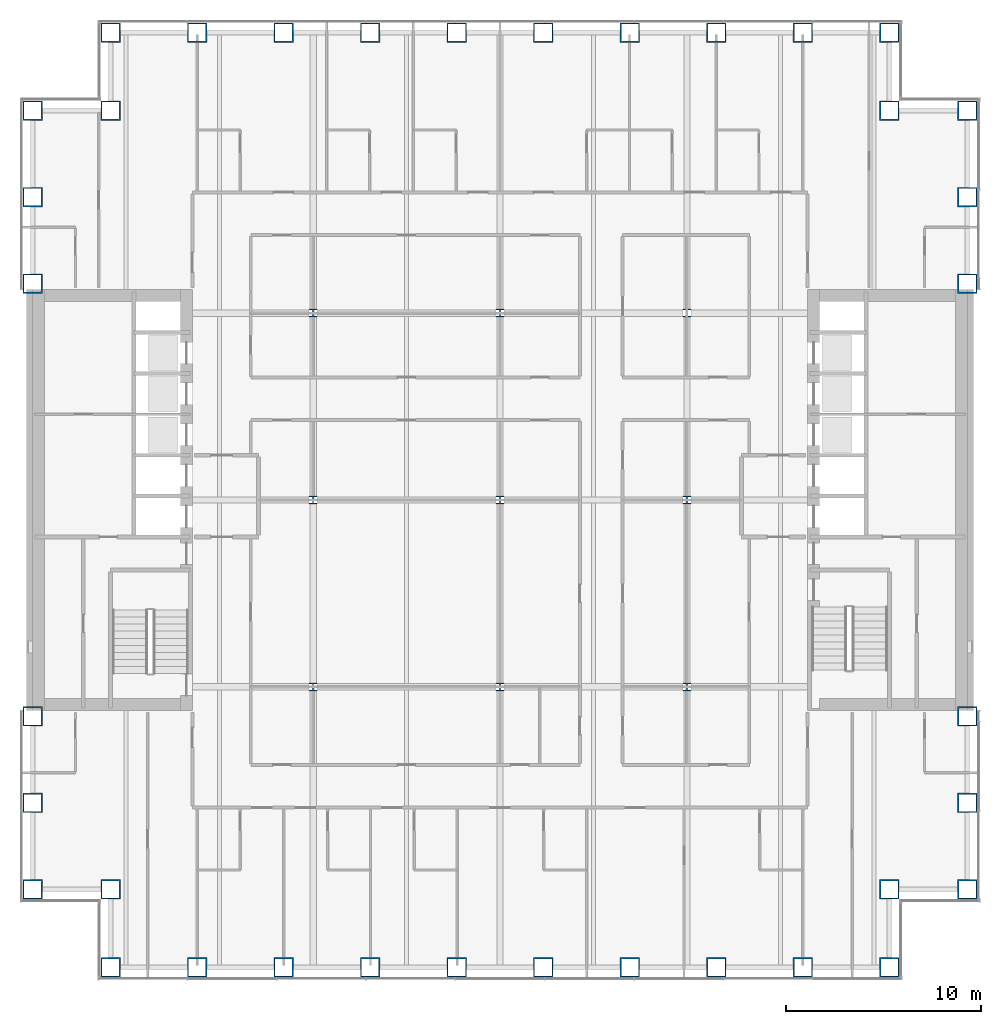
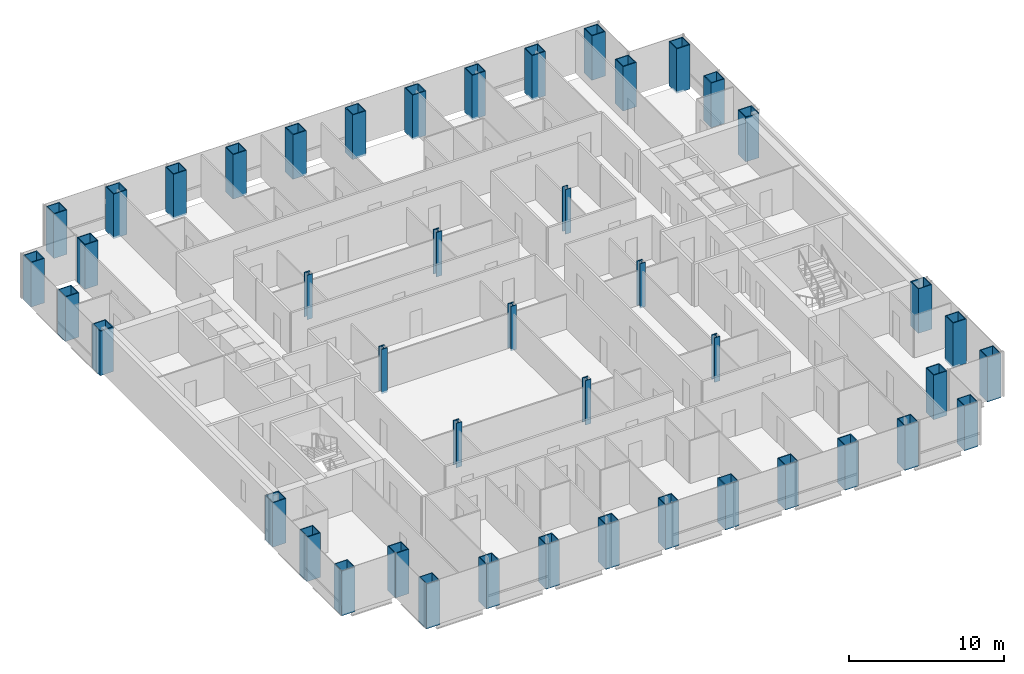
# One storey, part 1 of 23: 45 columns.
"""IFC4 building model written with IfcOpenShell, lengths in metres."""

from ifc_helpers import new_model, si_unit, direction, frame, origin, origin_2d, place, context, subcontext, project, spatial, hollow_rectangle, i_section, extrude, material, material_profile, profile_set, type_object, element, save


model = new_model("IFC4")

# Units and contexts
model_context = context("Model", 3, precision=1e-05, world=origin(), true_north=direction((0.0, 1.0)))
body_context = subcontext(model_context, "Body", "Model", "MODEL_VIEW")
ifc_project = project(units=[si_unit("LENGTHUNIT", "METRE"), si_unit("AREAUNIT", "SQUARE_METRE"), si_unit("VOLUMEUNIT", "CUBIC_METRE"), si_unit("PLANEANGLEUNIT", "RADIAN"), si_unit("MASSUNIT", "GRAM", prefix="KILO")], contexts=[model_context])

# Site, building, storey
site_placement = place(None, origin())
site = spatial("IfcSite", under=ifc_project, at=site_placement, CompositionType="ELEMENT")
building_placement = place(site_placement, origin())
building = spatial("IfcBuilding", under=site, at=building_placement, Name="Cobrizo Arcos Hotel Tower", CompositionType="ELEMENT")
storey_placement = place(building_placement, frame((0.0, 0.0, 49.5)))
storey = spatial("IfcBuildingStorey", under=building, at=storey_placement, Name="L10", CompositionType="ELEMENT", Elevation=49.5)

# Columns
ifc_material_1 = material(Name="Steel ASTM A572 Grade 50", Category="steel")
ifc_material_profile_1 = material_profile(ifc_material_1, hollow_rectangle(XDim=1.0, YDim=1.0, WallThickness=0.06005859375, at=origin_2d()), Name="BOX 1000X1000X60")
ifc_profile_set_1 = profile_set([ifc_material_profile_1], Name="Steel ASTM A572 Grade 50")
column_type_1 = type_object("IfcColumnType", Name="BOX 1000X1000X60 column", PredefinedType="COLUMN", material=ifc_profile_set_1)
for number, where, z_axis, x_axis, name in (
    (1, (-20.0, 24.0, -0.14990234375), (0.0, 0.0, 1.0), (1.0, 0.0, 0.0), "Perimeter column C4, L10, no. 00"),
    (2, (-20.0, -24.0, -0.14990234375), (0.0, 0.0, 1.0), (1.0, 0.0, 0.0), "Perimeter column C4, L10, no. 01"),
    (3, (-15.555908203125, 24.0, -0.14990234375), (0.0, 0.0, 1.0), (1.0, 0.0, 0.0), "Perimeter column C4, L10, no. 02"),
    (4, (-15.555908203125, -24.0, -0.14990234375), (0.0, 0.0, 1.0), (1.0, 0.0, 0.0), "Perimeter column C4, L10, no. 03"),
    (5, (-11.111083984375, 24.0, -0.14990234375), (0.0, 0.0, 1.0), (1.0, 0.0, 0.0), "Perimeter column C4, L10, no. 04"),
    (6, (-11.111083984375, -24.0, -0.14990234375), (0.0, 0.0, 1.0), (1.0, 0.0, 0.0), "Perimeter column C4, L10, no. 05"),
    (7, (-6.6669921875, 24.0, -0.14990234375), (0.0, 0.0, 1.0), (1.0, 0.0, 0.0), "Perimeter column C4, L10, no. 06"),
    (8, (-6.6669921875, -24.0, -0.14990234375), (0.0, 0.0, 1.0), (1.0, 0.0, 0.0), "Perimeter column C4, L10, no. 07"),
    (9, (-2.221923828125, 24.0, -0.14990234375), (0.0, 0.0, 1.0), (1.0, 0.0, 0.0), "Perimeter column C4, L10, no. 08"),
    (10, (-2.221923828125, -24.0, -0.14990234375), (0.0, 0.0, 1.0), (1.0, 0.0, 0.0), "Perimeter column C4, L10, no. 09"),
    (11, (2.221923828125, 24.0, -0.14990234375), (0.0, 0.0, 1.0), (1.0, 0.0, 0.0), "Perimeter column C4, L10, no. 10"),
    (12, (2.221923828125, -24.0, -0.14990234375), (0.0, 0.0, 1.0), (1.0, 0.0, 0.0), "Perimeter column C4, L10, no. 11"),
    (13, (6.6669921875, 24.0, -0.14990234375), (0.0, 0.0, 1.0), (1.0, 0.0, 0.0), "Perimeter column C4, L10, no. 12"),
    (14, (6.6669921875, -24.0, -0.14990234375), (0.0, 0.0, 1.0), (1.0, 0.0, 0.0), "Perimeter column C4, L10, no. 13"),
    (15, (11.111083984375, 24.0, -0.14990234375), (0.0, 0.0, 1.0), (1.0, 0.0, 0.0), "Perimeter column C4, L10, no. 14"),
    (16, (11.111083984375, -24.0, -0.14990234375), (0.0, 0.0, 1.0), (1.0, 0.0, 0.0), "Perimeter column C4, L10, no. 15"),
    (17, (15.555908203125, 24.0, -0.14990234375), (0.0, 0.0, 1.0), (1.0, 0.0, 0.0), "Perimeter column C4, L10, no. 16"),
    (18, (15.555908203125, -24.0, -0.14990234375), (0.0, 0.0, 1.0), (1.0, 0.0, 0.0), "Perimeter column C4, L10, no. 17"),
    (19, (20.0, 24.0, -0.14990234375), (0.0, 0.0, 1.0), (1.0, 0.0, 0.0), "Perimeter column C4, L10, no. 18"),
    (20, (20.0, -24.0, -0.14990234375), (0.0, 0.0, 1.0), (1.0, 0.0, 0.0), "Perimeter column C4, L10, no. 19"),
    (21, (24.0, -20.0, -0.14990234375), (0.0, 0.0, 1.0), (1.0, 0.0, 0.0), "Perimeter column C4, L10, no. 20"),
    (22, (-24.0, -20.0, -0.14990234375), (0.0, 0.0, 1.0), (1.0, 0.0, 0.0), "Perimeter column C4, L10, no. 21"),
    (23, (24.0, -15.555908203125, -0.14990234375), (0.0, 0.0, 1.0), (1.0, 0.0, 0.0), "Perimeter column C4, L10, no. 22"),
    (24, (-24.0, -15.555908203125, -0.14990234375), (0.0, 0.0, 1.0), (1.0, 0.0, 0.0), "Perimeter column C4, L10, no. 23"),
    (25, (24.0, -11.111083984375, -0.14990234375), (0.0, 0.0, 1.0), (1.0, 0.0, 0.0), "Perimeter column C4, L10, no. 24"),
    (26, (-24.0, -11.111083984375, -0.14990234375), (0.0, 0.0, 1.0), (1.0, 0.0, 0.0), "Perimeter column C4, L10, no. 25"),
    (27, (24.0, 11.111083984375, -0.14990234375), (0.0, 0.0, 1.0), (1.0, 0.0, 0.0), "Perimeter column C4, L10, no. 26"),
    (28, (-24.0, 11.111083984375, -0.14990234375), (0.0, 0.0, 1.0), (1.0, 0.0, 0.0), "Perimeter column C4, L10, no. 27"),
    (29, (24.0, 15.555908203125, -0.14990234375), (0.0, 0.0, 1.0), (1.0, 0.0, 0.0), "Perimeter column C4, L10, no. 28"),
    (30, (-24.0, 15.555908203125, -0.14990234375), (0.0, 0.0, 1.0), (1.0, 0.0, 0.0), "Perimeter column C4, L10, no. 29"),
    (31, (24.0, 20.0, -0.14990234375), (0.0, 0.0, 1.0), (1.0, 0.0, 0.0), "Perimeter column C4, L10, no. 30"),
    (32, (-24.0, 20.0, -0.14990234375), (0.0, 0.0, 1.0), (1.0, 0.0, 0.0), "Perimeter column C4, L10, no. 31"),
    (33, (-20.0, -20.0, -0.14990234375), (0.0, 0.0, 1.0), (1.0, 0.0, 0.0), "Perimeter column C4, L10, no. 32"),
    (34, (-20.0, 20.0, -0.14990234375), (0.0, 0.0, 1.0), (1.0, 0.0, 0.0), "Perimeter column C4, L10, no. 33"),
    (35, (20.0, -20.0, -0.14990234375), (0.0, 0.0, 1.0), (1.0, 0.0, 0.0), "Perimeter column C4, L10, no. 34"),
    (36, (20.0, 20.0, -0.14990234375), (0.0, 0.0, 1.0), (1.0, 0.0, 0.0), "Perimeter column C4, L10, no. 35"),
):
    element("IfcColumn", number, at=place(storey_placement, frame(where, z_axis=z_axis, x_axis=x_axis)), inside=storey, type_object=column_type_1, Name=name, PredefinedType="COLUMN", context=body_context, shape_type="SweptSolid", body=[
        extrude(hollow_rectangle(XDim=1.0, YDim=1.0, WallThickness=0.06005859375, at=origin_2d()), origin(), (0.0, 0.0, 1.0), 3.5),
    ])
ifc_material_2 = material(Name="Steel ASTM A992 Grade 50", Category="steel")
ifc_material_profile_2 = material_profile(ifc_material_2, i_section(OverallWidth=0.408935546875, OverallDepth=0.42431640625, WebThickness=0.03271484375, FlangeThickness=0.052490234375, at=origin_2d()), Name="W14X283")
ifc_profile_set_2 = profile_set([ifc_material_profile_2], Name="Steel ASTM A992 Grade 50")
column_type_2 = type_object("IfcColumnType", Name="W14X283 interior column", PredefinedType="COLUMN", material=ifc_profile_set_2)
for number, where, z_axis, x_axis, name in (
    (37, (-9.60009765625, -9.60009765625, -0.14990234375), (0.0, 0.0, 1.0), (1.0, 0.0, 0.0), "Interior column C5, L10, no. 00"),
    (38, (-9.60009765625, 0.0, -0.14990234375), (0.0, 0.0, 1.0), (1.0, 0.0, 0.0), "Interior column C5, L10, no. 01"),
    (39, (-9.60009765625, 9.60009765625, -0.14990234375), (0.0, 0.0, 1.0), (1.0, 0.0, 0.0), "Interior column C5, L10, no. 02"),
    (40, (0.0, -9.60009765625, -0.14990234375), (0.0, 0.0, 1.0), (1.0, 0.0, 0.0), "Interior column C5, L10, no. 03"),
    (41, (0.0, 0.0, -0.14990234375), (0.0, 0.0, 1.0), (1.0, 0.0, 0.0), "Interior column C5, L10, no. 04"),
    (42, (0.0, 9.60009765625, -0.14990234375), (0.0, 0.0, 1.0), (1.0, 0.0, 0.0), "Interior column C5, L10, no. 05"),
    (43, (9.60009765625, -9.60009765625, -0.14990234375), (0.0, 0.0, 1.0), (1.0, 0.0, 0.0), "Interior column C5, L10, no. 06"),
    (44, (9.60009765625, 0.0, -0.14990234375), (0.0, 0.0, 1.0), (1.0, 0.0, 0.0), "Interior column C5, L10, no. 07"),
    (45, (9.60009765625, 9.60009765625, -0.14990234375), (0.0, 0.0, 1.0), (1.0, 0.0, 0.0), "Interior column C5, L10, no. 08"),
):
    element("IfcColumn", number, at=place(storey_placement, frame(where, z_axis=z_axis, x_axis=x_axis)), inside=storey, type_object=column_type_2, Name=name, PredefinedType="COLUMN", context=body_context, shape_type="SweptSolid", body=[
        extrude(i_section(OverallWidth=0.408935546875, OverallDepth=0.42431640625, WebThickness=0.03271484375, FlangeThickness=0.052490234375, at=origin_2d()), origin(), (0.0, 0.0, 1.0), 3.5),
    ])

save(model, "model.ifc")
